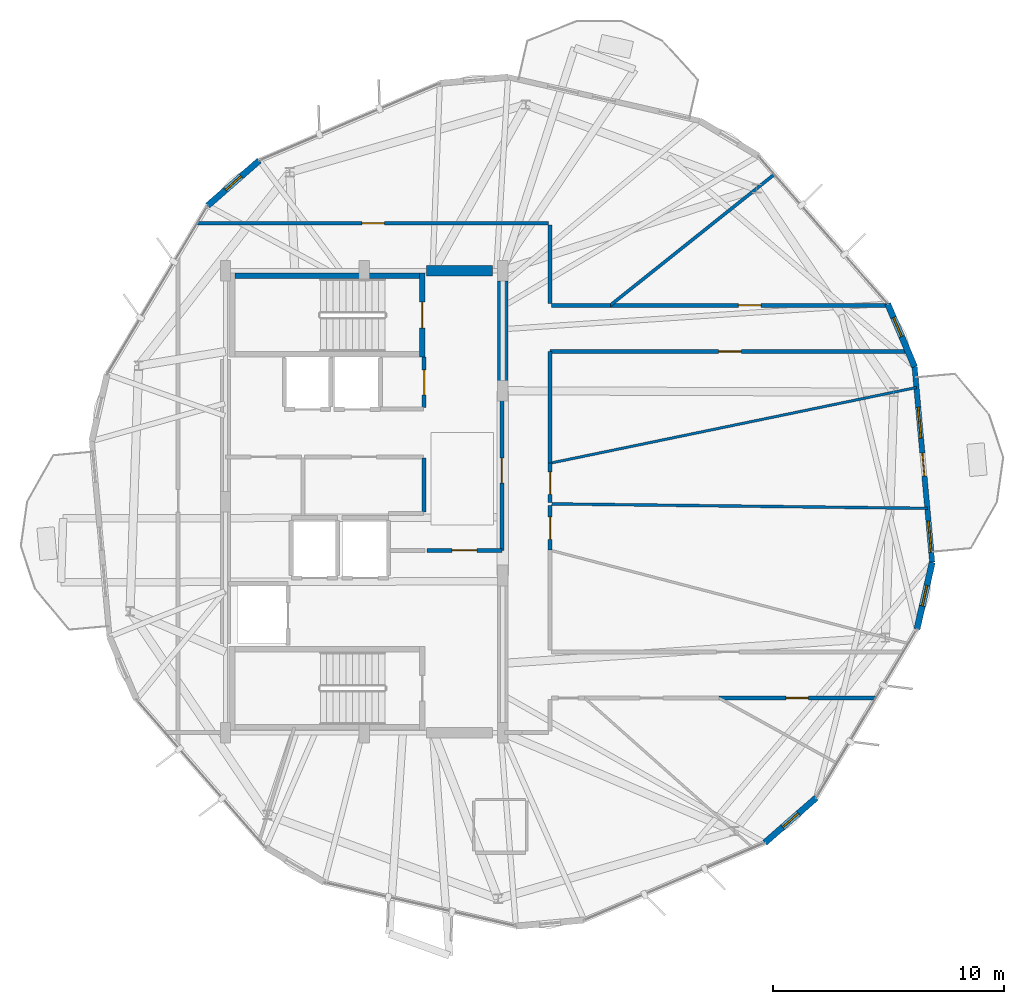
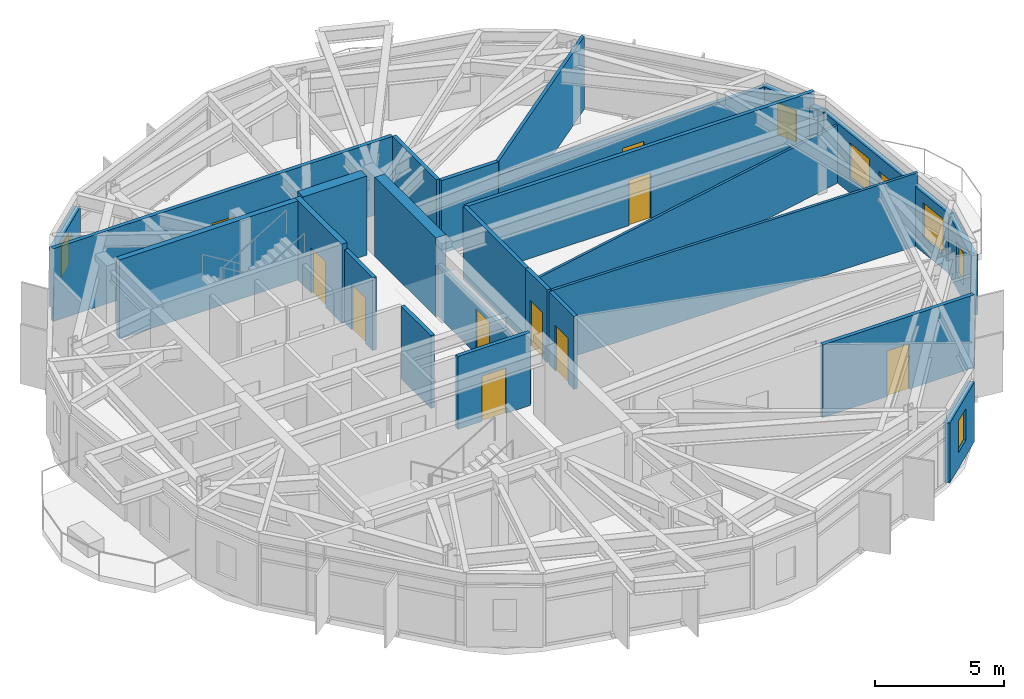
# One storey, part 19 of 23: 25 walls, 11 doors, 6 windows, 17 openings.
"""IFC4 building model written with IfcOpenShell, lengths in metres."""

from ifc_helpers import new_model, si_unit, direction, frame, frame_2d, origin, place, context, subcontext, project, spatial, rectangle, extrude, material, layer, layer_set, type_object, element, fill, save


model = new_model("IFC4")

# Units and contexts
model_context = context("Model", 3, precision=1e-05, world=origin(), true_north=direction((0.0, 1.0)))
body_context = subcontext(model_context, "Body", "Model", "MODEL_VIEW")
ifc_project = project(units=[si_unit("LENGTHUNIT", "METRE"), si_unit("AREAUNIT", "SQUARE_METRE"), si_unit("VOLUMEUNIT", "CUBIC_METRE"), si_unit("PLANEANGLEUNIT", "RADIAN"), si_unit("MASSUNIT", "GRAM", prefix="KILO")], contexts=[model_context])

# Site, building, storey
site_placement = place(None, origin())
site = spatial("IfcSite", under=ifc_project, at=site_placement, CompositionType="ELEMENT")
building_placement = place(site_placement, origin())
building = spatial("IfcBuilding", under=site, at=building_placement, Name="Soratama Intermodal Tower", CompositionType="ELEMENT")
storey_placement = place(building_placement, frame((0.0, 0.0, 250.0)))
storey = spatial("IfcBuildingStorey", under=building, at=storey_placement, Name="L63", CompositionType="ELEMENT", Elevation=250.0)

# Wall, openings, door, windows
ifc_material_1 = material(Name="Concrete f'c 42 MPa", Category="concrete")
ifc_layer_1 = layer(ifc_material_1, 0.22998046875)
ifc_layer_set_1 = layer_set([ifc_layer_1], Name="Concrete f'c 42 MPa")
wall_type_1 = type_object("IfcWallType", Name="EW-BAL-230", PredefinedType="SOLIDWALL", material=ifc_layer_set_1)
wall_1_placement = place(storey_placement, frame((63.189697265625, 22.37548828125, 0.0), z_axis=(0.0, 0.0, 1.0), x_axis=(-0.089932307003, 0.995947880241, 0.0)))
wall_1 = element("IfcWall", 1, at=wall_1_placement, inside=storey, type_object=wall_type_1, Name="L63 Terrace Wall F09", PredefinedType="SOLIDWALL", context=body_context, shape_type="SweptSolid", body=[
    extrude(rectangle(XDim=8.499755859375, YDim=0.22998046875, at=frame_2d((4.25, 0.0))), origin(), (0.0, 0.0, 1.0), 2.8291015625),
])
opening_1_placement = place(wall_1_placement, frame((3.75, 0.0, 0.0)))
opening_1 = element("IfcOpeningElement", 2, at=opening_1_placement, cuts=wall_1, Name="Opening ED-2", PredefinedType="OPENING", context=body_context, shape_type="SweptSolid", body=[
    extrude(rectangle(XDim=1.0, YDim=2.14990234375, at=frame_2d((0.5, 1.074951171875))), frame((0.0, 0.125, 0.0), z_axis=(0.0, -1.0, 0.0), x_axis=(1.0, 0.0, 0.0)), (0.0, 0.0, 1.0), 0.25),
])
opening_2_placement = place(wall_1_placement, frame((0.43994140625, 0.0, 0.719970703125)))
opening_2 = element("IfcOpeningElement", 3, at=opening_2_placement, cuts=wall_1, Name="Opening WN-4", PredefinedType="OPENING", context=body_context, shape_type="SweptSolid", body=[
    extrude(rectangle(XDim=1.35009765625, YDim=1.64990234375, at=frame_2d((0.675048828125, 0.824951171875))), frame((0.0, 0.125, 0.0), z_axis=(0.0, -1.0, 0.0), x_axis=(1.0, 0.0, 0.0)), (0.0, 0.0, 1.0), 0.25),
])
opening_3_placement = place(wall_1_placement, frame((5.389892578125, 0.0, 0.719970703125)))
opening_3 = element("IfcOpeningElement", 4, at=opening_3_placement, cuts=wall_1, Name="Opening WN-4", PredefinedType="OPENING", context=body_context, shape_type="SweptSolid", body=[
    extrude(rectangle(XDim=1.35009765625, YDim=1.64990234375, at=frame_2d((0.675048828125, 0.824951171875))), frame((0.0, 0.125, 0.0), z_axis=(0.0, -1.0, 0.0), x_axis=(1.0, 0.0, 0.0)), (0.0, 0.0, 1.0), 0.25),
])
ifc_material_2 = material(Name="Double-glazed aluminium door", Category="aluminium")
door_type_1 = type_object("IfcDoorType", Name="DR-BAL-1000", OperationType="NOTDEFINED", PredefinedType="DOOR", material=ifc_material_2)
door_1_placement = place(opening_1_placement, origin())
door_1 = element("IfcDoor", 5, at=door_1_placement, inside=storey, type_object=door_type_1, Name="L63 Balcony Door F09", OperationType="SINGLE_SWING_LEFT", OverallHeight=2.14990234375, OverallWidth=1.0, PredefinedType="DOOR", context=body_context, shape_type="SweptSolid", body=[
    extrude(rectangle(XDim=1.0, YDim=2.14990234375, at=frame_2d((0.5, 1.074951171875))), frame((0.0, 0.02490234375, 0.0), z_axis=(0.0, -1.0, 0.0), x_axis=(1.0, 0.0, 0.0)), (0.0, 0.0, 1.0), 0.050048828125),
])
fill(opening_1, door_1)
ifc_material_3 = material(Name="Double-glazed aluminium window", Category="aluminium")
window_type_1 = type_object("IfcWindowType", Name="WN-FAC-1350", PartitioningType="SINGLE_PANEL", PredefinedType="WINDOW", material=ifc_material_3)
window_1_placement = place(opening_2_placement, origin())
window_1 = element("IfcWindow", 6, at=window_1_placement, inside=storey, type_object=window_type_1, Name="L63 Window A F09", OverallHeight=1.64990234375, OverallWidth=1.35009765625, PartitioningType="SINGLE_PANEL", PredefinedType="WINDOW", context=body_context, shape_type="SweptSolid", body=[
    extrude(rectangle(XDim=1.35009765625, YDim=1.64990234375, at=frame_2d((0.675048828125, 0.824951171875))), frame((0.0, 0.030029296875, 0.0), z_axis=(0.0, -1.0, 0.0), x_axis=(1.0, 0.0, 0.0)), (0.0, 0.0, 1.0), 0.06005859375),
])
fill(opening_2, window_1)
window_2_placement = place(opening_3_placement, origin())
window_2 = element("IfcWindow", 7, at=window_2_placement, inside=storey, type_object=window_type_1, Name="L63 Window B F09", OverallHeight=1.64990234375, OverallWidth=1.35009765625, PartitioningType="SINGLE_PANEL", PredefinedType="WINDOW", context=body_context, shape_type="SweptSolid", body=[
    extrude(rectangle(XDim=1.35009765625, YDim=1.64990234375, at=frame_2d((0.675048828125, 0.824951171875))), frame((0.0, 0.030029296875, 0.0), z_axis=(0.0, -1.0, 0.0), x_axis=(1.0, 0.0, 0.0)), (0.0, 0.0, 1.0), 0.06005859375),
])
fill(opening_3, window_2)

# Wall, opening, window
ifc_material_4 = material(Name="Concrete f'c 42 MPa", Category="concrete")
ifc_layer_2 = layer(ifc_material_4, 0.27001953125)
ifc_layer_set_2 = layer_set([ifc_layer_2], Name="Concrete f'c 42 MPa")
wall_type_2 = type_object("IfcWallType", Name="EW-CRN-270", PredefinedType="SOLIDWALL", material=ifc_layer_set_2)
wall_2_placement = place(storey_placement, frame((34.060302734375, 39.767333984375, 0.0), z_axis=(0.0, 0.0, 1.0), x_axis=(-0.75288250817, -0.658154942921, 0.0)))
wall_2 = element("IfcWall", 8, at=wall_2_placement, inside=storey, type_object=wall_type_2, Name="L63 Corner Closure Wall 02", PredefinedType="SOLIDWALL", context=body_context, shape_type="SweptSolid", body=[
    extrude(rectangle(XDim=2.966552734375, YDim=0.27001953125, at=frame_2d((1.4833984375, 0.0))), origin(), (0.0, 0.0, 1.0), 2.8291015625),
])
opening_4_placement = place(wall_2_placement, frame((1.033203125, 0.0, 0.75)))
opening_4 = element("IfcOpeningElement", 9, at=opening_4_placement, cuts=wall_2, Name="Opening WN-6", PredefinedType="OPENING", context=body_context, shape_type="SweptSolid", body=[
    extrude(rectangle(XDim=0.89990234375, YDim=1.5, at=frame_2d((0.449951171875, 0.75))), frame((0.0, 0.14501953125, 0.0), z_axis=(0.0, -1.0, 0.0), x_axis=(1.0, 0.0, 0.0)), (0.0, 0.0, 1.0), 0.2900390625),
])
ifc_material_5 = material(Name="Double-glazed aluminium window", Category="aluminium")
window_type_2 = type_object("IfcWindowType", Name="WN-FAC-900", PartitioningType="SINGLE_PANEL", PredefinedType="WINDOW", material=ifc_material_5)
window_3_placement = place(opening_4_placement, origin())
window_3 = element("IfcWindow", 10, at=window_3_placement, inside=storey, type_object=window_type_2, Name="L63 Corner Window 02", OverallHeight=1.5, OverallWidth=0.89990234375, PartitioningType="SINGLE_PANEL", PredefinedType="WINDOW", context=body_context, shape_type="SweptSolid", body=[
    extrude(rectangle(XDim=0.89990234375, YDim=1.5, at=frame_2d((0.449951171875, 0.75))), frame((0.0, 0.030029296875, 0.0), z_axis=(0.0, -1.0, 0.0), x_axis=(1.0, 0.0, 0.0)), (0.0, 0.0, 1.0), 0.06005859375),
])
fill(opening_4, window_3)

wall_3_placement = place(storey_placement, frame((55.939697265625, 10.232666015625, 0.0), z_axis=(0.0, 0.0, 1.0), x_axis=(0.75288250817, 0.658154942921, 0.0)))
wall_3 = element("IfcWall", 11, at=wall_3_placement, inside=storey, type_object=wall_type_2, Name="L63 Corner Closure Wall 07", PredefinedType="SOLIDWALL", context=body_context, shape_type="SweptSolid", body=[
    extrude(rectangle(XDim=2.966552734375, YDim=0.27001953125, at=frame_2d((1.4833984375, 0.0))), origin(), (0.0, 0.0, 1.0), 2.8291015625),
])
opening_5_placement = place(wall_3_placement, frame((1.033203125, 0.0, 0.75)))
opening_5 = element("IfcOpeningElement", 12, at=opening_5_placement, cuts=wall_3, Name="Opening WN-6", PredefinedType="OPENING", context=body_context, shape_type="SweptSolid", body=[
    extrude(rectangle(XDim=0.89990234375, YDim=1.5, at=frame_2d((0.449951171875, 0.75))), frame((0.0, 0.14501953125, 0.0), z_axis=(0.0, -1.0, 0.0), x_axis=(1.0, 0.0, 0.0)), (0.0, 0.0, 1.0), 0.2900390625),
])
window_4_placement = place(opening_5_placement, origin())
window_4 = element("IfcWindow", 13, at=window_4_placement, inside=storey, type_object=window_type_2, Name="L63 Corner Window 07", OverallHeight=1.5, OverallWidth=0.89990234375, PartitioningType="SINGLE_PANEL", PredefinedType="WINDOW", context=body_context, shape_type="SweptSolid", body=[
    extrude(rectangle(XDim=0.89990234375, YDim=1.5, at=frame_2d((0.449951171875, 0.75))), frame((0.0, 0.030029296875, 0.0), z_axis=(0.0, -1.0, 0.0), x_axis=(1.0, 0.0, 0.0)), (0.0, 0.0, 1.0), 0.06005859375),
])
fill(opening_5, window_4)

wall_4_placement = place(storey_placement, frame((62.530517578125, 19.48291015625, 0.0), z_axis=(0.0, 0.0, 1.0), x_axis=(0.222190162384, 0.975003349604, 0.0)))
wall_4 = element("IfcWall", 14, at=wall_4_placement, inside=storey, type_object=wall_type_2, Name="L63 Corner Closure Wall 08", PredefinedType="SOLIDWALL", context=body_context, shape_type="SweptSolid", body=[
    extrude(rectangle(XDim=2.966796875, YDim=0.27001953125, at=frame_2d((1.4833984375, 0.0))), origin(), (0.0, 0.0, 1.0), 2.8291015625),
])
opening_6_placement = place(wall_4_placement, frame((1.033203125, 0.0, 0.75)))
opening_6 = element("IfcOpeningElement", 15, at=opening_6_placement, cuts=wall_4, Name="Opening WN-6", PredefinedType="OPENING", context=body_context, shape_type="SweptSolid", body=[
    extrude(rectangle(XDim=0.89990234375, YDim=1.5, at=frame_2d((0.449951171875, 0.75))), frame((0.0, 0.14501953125, 0.0), z_axis=(0.0, -1.0, 0.0), x_axis=(1.0, 0.0, 0.0)), (0.0, 0.0, 1.0), 0.2900390625),
])
window_5_placement = place(opening_6_placement, origin())
window_5 = element("IfcWindow", 16, at=window_5_placement, inside=storey, type_object=window_type_2, Name="L63 Corner Window 08", OverallHeight=1.5, OverallWidth=0.89990234375, PartitioningType="SINGLE_PANEL", PredefinedType="WINDOW", context=body_context, shape_type="SweptSolid", body=[
    extrude(rectangle(XDim=0.89990234375, YDim=1.5, at=frame_2d((0.449951171875, 0.75))), frame((0.0, 0.030029296875, 0.0), z_axis=(0.0, -1.0, 0.0), x_axis=(1.0, 0.0, 0.0)), (0.0, 0.0, 1.0), 0.06005859375),
])
fill(opening_6, window_5)

wall_5_placement = place(storey_placement, frame((62.42529296875, 30.8408203125, 0.0), z_axis=(0.0, 0.0, 1.0), x_axis=(-0.393392799369, 0.919370494091, 0.0)))
wall_5 = element("IfcWall", 17, at=wall_5_placement, inside=storey, type_object=wall_type_2, Name="L63 Corner Closure Wall 09", PredefinedType="SOLIDWALL", context=body_context, shape_type="SweptSolid", body=[
    extrude(rectangle(XDim=2.966552734375, YDim=0.27001953125, at=frame_2d((1.4833984375, 0.0))), origin(), (0.0, 0.0, 1.0), 2.8291015625),
])
opening_7_placement = place(wall_5_placement, frame((1.422119140625, 0.0, 0.75)))
opening_7 = element("IfcOpeningElement", 18, at=opening_7_placement, cuts=wall_5, Name="Opening WN-6", PredefinedType="OPENING", context=body_context, shape_type="SweptSolid", body=[
    extrude(rectangle(XDim=0.89990234375, YDim=1.5, at=frame_2d((0.449951171875, 0.75))), frame((0.0, 0.14501953125, 0.0), z_axis=(0.0, -1.0, 0.0), x_axis=(1.0, 0.0, 0.0)), (0.0, 0.0, 1.0), 0.2900390625),
])
window_6_placement = place(opening_7_placement, origin())
window_6 = element("IfcWindow", 19, at=window_6_placement, inside=storey, type_object=window_type_2, Name="L63 Corner Window 09", OverallHeight=1.5, OverallWidth=0.89990234375, PartitioningType="SINGLE_PANEL", PredefinedType="WINDOW", context=body_context, shape_type="SweptSolid", body=[
    extrude(rectangle(XDim=0.89990234375, YDim=1.5, at=frame_2d((0.449951171875, 0.75))), frame((0.0, 0.030029296875, 0.0), z_axis=(0.0, -1.0, 0.0), x_axis=(1.0, 0.0, 0.0)), (0.0, 0.0, 1.0), 0.06005859375),
])
fill(opening_7, window_6)

# Wall, opening, door
ifc_material_6 = material(Name="Fire-rated gypsum stud partition", Category="concrete")
ifc_layer_3 = layer(ifc_material_6, 0.169921875)
ifc_layer_set_3 = layer_set([ifc_layer_3], Name="Fire-rated gypsum stud partition")
wall_type_3 = type_object("IfcWallType", Name="IW-PART-R170", PredefinedType="PARTITIONING", material=ifc_layer_set_3)
wall_6_placement = place(storey_placement, frame((62.259033203125, 31.5, 0.0), z_axis=(0.0, 0.0, 1.0), x_axis=(-1.0, 0.0, 0.0)))
wall_6 = element("IfcWall", 20, at=wall_6_placement, inside=storey, type_object=wall_type_3, Name="L63 Partition W-L63-TP005", PredefinedType="PARTITIONING", context=body_context, shape_type="SweptSolid", body=[
    extrude(rectangle(XDim=15.609130859375, YDim=0.169921875, at=frame_2d((7.8046875, 0.0))), origin(), (0.0, 0.0, 1.0), 3.449951171875),
])
opening_8_placement = place(wall_6_placement, frame((7.330078125, 0.0, 0.0)))
opening_8 = element("IfcOpeningElement", 21, at=opening_8_placement, cuts=wall_6, Name="Opening ID-5", PredefinedType="OPENING", context=body_context, shape_type="SweptSolid", body=[
    extrude(rectangle(XDim=0.97998046875, YDim=2.14990234375, at=frame_2d((0.489990234375, 1.074951171875))), frame((0.0, 0.094970703125, 0.0), z_axis=(0.0, -1.0, 0.0), x_axis=(1.0, 0.0, 0.0)), (0.0, 0.0, 1.0), 0.18994140625),
])
ifc_material_7 = material(Name="Solid hardwood acoustic door", Category="wood")
door_type_2 = type_object("IfcDoorType", Name="DR-OFF-980", OperationType="NOTDEFINED", PredefinedType="DOOR", material=ifc_material_7)
door_2_placement = place(opening_8_placement, origin())
door_2 = element("IfcDoor", 22, at=door_2_placement, inside=storey, type_object=door_type_2, Name="L63 Door D-L63-TP002", OperationType="SINGLE_SWING_LEFT", OverallHeight=2.14990234375, OverallWidth=0.97998046875, PredefinedType="DOOR", context=body_context, shape_type="SweptSolid", body=[
    extrude(rectangle(XDim=0.97998046875, YDim=2.14990234375, at=frame_2d((0.489990234375, 1.074951171875))), frame((0.0, 0.02490234375, 0.0), z_axis=(0.0, -1.0, 0.0), x_axis=(1.0, 0.0, 0.0)), (0.0, 0.0, 1.0), 0.050048828125),
])
fill(opening_8, door_2)

wall_7_placement = place(storey_placement, frame((31.3701171875, 37.050048828125, 0.0), z_axis=(0.0, 0.0, 1.0), x_axis=(1.0, 0.0, 0.0)))
wall_7 = element("IfcWall", 23, at=wall_7_placement, inside=storey, type_object=wall_type_3, Name="L63 Partition W-L63-TP007", PredefinedType="PARTITIONING", context=body_context, shape_type="SweptSolid", body=[
    extrude(rectangle(XDim=15.2099609375, YDim=0.169921875, at=frame_2d((7.60498046875, 0.0))), origin(), (0.0, 0.0, 1.0), 3.449951171875),
])
opening_9_placement = place(wall_7_placement, frame((7.1298828125, 0.0, 0.0)))
opening_9 = element("IfcOpeningElement", 24, at=opening_9_placement, cuts=wall_7, Name="Opening ID-5", PredefinedType="OPENING", context=body_context, shape_type="SweptSolid", body=[
    extrude(rectangle(XDim=0.97998046875, YDim=2.14990234375, at=frame_2d((0.489990234375, 1.074951171875))), frame((0.0, 0.094970703125, 0.0), z_axis=(0.0, -1.0, 0.0), x_axis=(1.0, 0.0, 0.0)), (0.0, 0.0, 1.0), 0.18994140625),
])
door_3_placement = place(opening_9_placement, origin())
door_3 = element("IfcDoor", 25, at=door_3_placement, inside=storey, type_object=door_type_2, Name="L63 Door D-L63-TP004", OperationType="SINGLE_SWING_LEFT", OverallHeight=2.14990234375, OverallWidth=0.97998046875, PredefinedType="DOOR", context=body_context, shape_type="SweptSolid", body=[
    extrude(rectangle(XDim=0.97998046875, YDim=2.14990234375, at=frame_2d((0.489990234375, 1.074951171875))), frame((0.0, 0.02490234375, 0.0), z_axis=(0.0, -1.0, 0.0), x_axis=(1.0, 0.0, 0.0)), (0.0, 0.0, 1.0), 0.050048828125),
])
fill(opening_9, door_3)

wall_8_placement = place(storey_placement, frame((49.25390625, 33.5, 0.0), z_axis=(0.0, 0.0, 1.0), x_axis=(1.0, 0.0, 0.0)))
wall_8 = element("IfcWall", 26, at=wall_8_placement, inside=storey, type_object=wall_type_3, Name="L63 Partition W-L63-TP008", PredefinedType="PARTITIONING", context=body_context, shape_type="SweptSolid", body=[
    extrude(rectangle(XDim=12.047119140625, YDim=0.169921875, at=frame_2d((6.0234375, 0.0))), origin(), (0.0, 0.0, 1.0), 2.827880859375),
])
opening_10_placement = place(wall_8_placement, frame((5.549072265625, 0.0, 0.0)))
opening_10 = element("IfcOpeningElement", 27, at=opening_10_placement, cuts=wall_8, Name="Opening ID-5", PredefinedType="OPENING", context=body_context, shape_type="SweptSolid", body=[
    extrude(rectangle(XDim=0.97998046875, YDim=2.14990234375, at=frame_2d((0.489990234375, 1.074951171875))), frame((0.0, 0.094970703125, 0.0), z_axis=(0.0, -1.0, 0.0), x_axis=(1.0, 0.0, 0.0)), (0.0, 0.0, 1.0), 0.18994140625),
])
door_4_placement = place(opening_10_placement, origin())
door_4 = element("IfcDoor", 28, at=door_4_placement, inside=storey, type_object=door_type_2, Name="L63 Door D-L63-TP005", OperationType="SINGLE_SWING_RIGHT", OverallHeight=2.14990234375, OverallWidth=0.97998046875, PredefinedType="DOOR", context=body_context, shape_type="SweptSolid", body=[
    extrude(rectangle(XDim=0.97998046875, YDim=2.14990234375, at=frame_2d((0.489990234375, 1.074951171875))), frame((0.0, 0.02490234375, 0.0), z_axis=(0.0, -1.0, 0.0), x_axis=(1.0, 0.0, 0.0)), (0.0, 0.0, 1.0), 0.050048828125),
])
fill(opening_10, door_4)

wall_9_placement = place(storey_placement, frame((44.56005859375, 29.800048828125, 0.0), z_axis=(0.0, 0.0, 1.0), x_axis=(0.0, -1.0, 0.0)))
wall_9 = element("IfcWall", 29, at=wall_9_placement, inside=storey, type_object=wall_type_3, Name="L63 Partition W-L63-TP011", PredefinedType="PARTITIONING", context=body_context, shape_type="SweptSolid", body=[
    extrude(rectangle(XDim=6.91015625, YDim=0.169921875, at=frame_2d((3.455078125, 0.0))), origin(), (0.0, 0.0, 1.0), 2.489990234375),
])
opening_11_placement = place(wall_9_placement, frame((2.9150390625, 0.0, 0.0)))
opening_11 = element("IfcOpeningElement", 30, at=opening_11_placement, cuts=wall_9, Name="Opening ID-1", PredefinedType="OPENING", context=body_context, shape_type="SweptSolid", body=[
    extrude(rectangle(XDim=1.080078125, YDim=2.14990234375, at=frame_2d((0.5400390625, 1.074951171875))), frame((0.0, 0.094970703125, 0.0), z_axis=(0.0, -1.0, 0.0), x_axis=(1.0, 0.0, 0.0)), (0.0, 0.0, 1.0), 0.18994140625),
])
ifc_material_8 = material(Name="Solid hardwood acoustic door", Category="wood")
door_type_3 = type_object("IfcDoorType", Name="DR-LOB-FD60", OperationType="NOTDEFINED", PredefinedType="DOOR", material=ifc_material_8)
door_5_placement = place(opening_11_placement, origin())
door_5 = element("IfcDoor", 31, at=door_5_placement, inside=storey, type_object=door_type_3, Name="L63 Door D-L63-TP006", OperationType="SINGLE_SWING_LEFT", OverallHeight=2.14990234375, OverallWidth=1.080078125, PredefinedType="DOOR", context=body_context, shape_type="SweptSolid", body=[
    extrude(rectangle(XDim=1.080078125, YDim=2.14990234375, at=frame_2d((0.5400390625, 1.074951171875))), frame((0.0, 0.02490234375, 0.0), z_axis=(0.0, -1.0, 0.0), x_axis=(1.0, 0.0, 0.0)), (0.0, 0.0, 1.0), 0.050048828125),
])
fill(opening_11, door_5)

wall_10_placement = place(storey_placement, frame((60.7490234375, 16.5, 0.0), z_axis=(0.0, 0.0, 1.0), x_axis=(-1.0, 0.0, 0.0)))
wall_10 = element("IfcWall", 32, at=wall_10_placement, inside=storey, type_object=wall_type_3, Name="L63 Partition W-L63-TP012", PredefinedType="PARTITIONING", context=body_context, shape_type="SweptSolid", body=[
    extrude(rectangle(XDim=6.787109375, YDim=0.169921875, at=frame_2d((3.3935546875, 0.0))), origin(), (0.0, 0.0, 1.0), 3.449951171875),
])
opening_12_placement = place(wall_10_placement, frame((2.91796875, 0.0, 0.0)))
opening_12 = element("IfcOpeningElement", 33, at=opening_12_placement, cuts=wall_10, Name="Opening ID-5", PredefinedType="OPENING", context=body_context, shape_type="SweptSolid", body=[
    extrude(rectangle(XDim=0.97998046875, YDim=2.14990234375, at=frame_2d((0.489990234375, 1.074951171875))), frame((0.0, 0.094970703125, 0.0), z_axis=(0.0, -1.0, 0.0), x_axis=(1.0, 0.0, 0.0)), (0.0, 0.0, 1.0), 0.18994140625),
])
door_6_placement = place(opening_12_placement, origin())
door_6 = element("IfcDoor", 34, at=door_6_placement, inside=storey, type_object=door_type_2, Name="L63 Door D-L63-TP007", OperationType="SINGLE_SWING_RIGHT", OverallHeight=2.14990234375, OverallWidth=0.97998046875, PredefinedType="DOOR", context=body_context, shape_type="SweptSolid", body=[
    extrude(rectangle(XDim=0.97998046875, YDim=2.14990234375, at=frame_2d((0.489990234375, 1.074951171875))), frame((0.0, 0.02490234375, 0.0), z_axis=(0.0, -1.0, 0.0), x_axis=(1.0, 0.0, 0.0)), (0.0, 0.0, 1.0), 0.050048828125),
])
fill(opening_12, door_6)

# Walls
wall_11_placement = place(storey_placement, frame((46.64990234375, 31.5, 0.0), z_axis=(0.0, 0.0, 1.0), x_axis=(0.0, -1.0, 0.0)))
element("IfcWall", 35, at=wall_11_placement, inside=storey, type_object=wall_type_3, Name="L63 Partition W-L63-TP017", PredefinedType="PARTITIONING", context=body_context, shape_type="SweptSolid", body=[
    extrude(rectangle(XDim=4.8349609375, YDim=0.169921875, at=frame_2d((2.41748046875, 0.0))), origin(), (0.0, 0.0, 1.0), 3.449951171875),
])
wall_12_placement = place(storey_placement, frame((46.64990234375, 36.97998046875, 0.0), z_axis=(0.0, 0.0, 1.0), x_axis=(0.0, -1.0, 0.0)))
element("IfcWall", 36, at=wall_12_placement, inside=storey, type_object=wall_type_3, Name="L63 Partition W-L63-TP019", PredefinedType="PARTITIONING", context=body_context, shape_type="SweptSolid", body=[
    extrude(rectangle(XDim=3.409912109375, YDim=0.169921875, at=frame_2d((1.705078125, 0.0))), origin(), (0.0, 0.0, 1.0), 3.449951171875),
])

# Wall, opening, door
wall_13_placement = place(storey_placement, frame((41.320068359375, 22.889892578125, 0.0), z_axis=(0.0, 0.0, 1.0), x_axis=(1.0, 0.0, 0.0)))
wall_13 = element("IfcWall", 37, at=wall_13_placement, inside=storey, type_object=wall_type_3, Name="L63 Partition W-L63-TP021", PredefinedType="PARTITIONING", context=body_context, shape_type="SweptSolid", body=[
    extrude(rectangle(XDim=3.239990234375, YDim=0.169921875, at=frame_2d((1.6201171875, 0.0))), origin(), (0.0, 0.0, 1.0), 3.449951171875),
])
opening_13_placement = place(wall_13_placement, frame((1.080078125, 0.0, 0.0)))
opening_13 = element("IfcOpeningElement", 38, at=opening_13_placement, cuts=wall_13, Name="Opening ID-0", PredefinedType="OPENING", context=body_context, shape_type="SweptSolid", body=[
    extrude(rectangle(XDim=1.080078125, YDim=2.14990234375, at=frame_2d((0.5400390625, 1.074951171875))), frame((0.0, 0.094970703125, 0.0), z_axis=(0.0, -1.0, 0.0), x_axis=(1.0, 0.0, 0.0)), (0.0, 0.0, 1.0), 0.18994140625),
])
ifc_material_9 = material(Name="Solid hardwood acoustic door", Category="wood")
door_type_4 = type_object("IfcDoorType", Name="DR-LOB-FD90", OperationType="NOTDEFINED", PredefinedType="DOOR", material=ifc_material_9)
door_7_placement = place(opening_13_placement, origin())
door_7 = element("IfcDoor", 39, at=door_7_placement, inside=storey, type_object=door_type_4, Name="L63 Door D-L63-TP011", OperationType="SINGLE_SWING_RIGHT", OverallHeight=2.14990234375, OverallWidth=1.080078125, PredefinedType="DOOR", context=body_context, shape_type="SweptSolid", body=[
    extrude(rectangle(XDim=1.080078125, YDim=2.14990234375, at=frame_2d((0.5400390625, 1.074951171875))), frame((0.0, 0.02490234375, 0.0), z_axis=(0.0, -1.0, 0.0), x_axis=(1.0, 0.0, 0.0)), (0.0, 0.0, 1.0), 0.050048828125),
])
fill(opening_13, door_7)

# Walls
wall_14_placement = place(storey_placement, frame((46.719970703125, 33.5, 0.0), z_axis=(0.0, 0.0, 1.0), x_axis=(1.0, 0.0, 0.0)))
element("IfcWall", 40, at=wall_14_placement, inside=storey, type_object=wall_type_3, Name="L63 Partition W-L63-TP024", PredefinedType="PARTITIONING", context=body_context, shape_type="SweptSolid", body=[
    extrude(rectangle(XDim=2.533935546875, YDim=0.169921875, at=frame_2d((1.26708984375, 0.0))), origin(), (0.0, 0.0, 1.0), 3.449951171875),
])
wall_15_placement = place(storey_placement, frame((41.199951171875, 24.550048828125, 0.0), z_axis=(0.0, 0.0, 1.0), x_axis=(0.0, 1.0, 0.0)))
element("IfcWall", 41, at=wall_15_placement, inside=storey, type_object=wall_type_3, Name="L63 Partition W-L63-TP025", PredefinedType="PARTITIONING", context=body_context, shape_type="SweptSolid", body=[
    extrude(rectangle(XDim=2.329833984375, YDim=0.169921875, at=frame_2d((1.1650390625, 0.0))), origin(), (0.0, 0.0, 1.0), 3.449951171875),
])

# Wall, opening, door
wall_16_placement = place(storey_placement, frame((41.199951171875, 29.070068359375, 0.0), z_axis=(0.0, 0.0, 1.0), x_axis=(0.0, 1.0, 0.0)))
wall_16 = element("IfcWall", 42, at=wall_16_placement, inside=storey, type_object=wall_type_3, Name="L63 Partition W-L63-TP026", PredefinedType="PARTITIONING", context=body_context, shape_type="SweptSolid", body=[
    extrude(rectangle(XDim=2.18994140625, YDim=0.169921875, at=frame_2d((1.094970703125, 0.0))), origin(), (0.0, 0.0, 1.0), 3.449951171875),
])
opening_14_placement = place(wall_16_placement, frame((0.554931640625, 0.0, 0.0)))
opening_14 = element("IfcOpeningElement", 43, at=opening_14_placement, cuts=wall_16, Name="Opening ID-1", PredefinedType="OPENING", context=body_context, shape_type="SweptSolid", body=[
    extrude(rectangle(XDim=1.080078125, YDim=2.14990234375, at=frame_2d((0.5400390625, 1.074951171875))), frame((0.0, 0.094970703125, 0.0), z_axis=(0.0, -1.0, 0.0), x_axis=(1.0, 0.0, 0.0)), (0.0, 0.0, 1.0), 0.18994140625),
])
door_8_placement = place(opening_14_placement, origin())
door_8 = element("IfcDoor", 44, at=door_8_placement, inside=storey, type_object=door_type_3, Name="L63 Door D-L63-TP012", OperationType="SINGLE_SWING_LEFT", OverallHeight=2.14990234375, OverallWidth=1.080078125, PredefinedType="DOOR", context=body_context, shape_type="SweptSolid", body=[
    extrude(rectangle(XDim=1.080078125, YDim=2.14990234375, at=frame_2d((0.5400390625, 1.074951171875))), frame((0.0, 0.02490234375, 0.0), z_axis=(0.0, -1.0, 0.0), x_axis=(1.0, 0.0, 0.0)), (0.0, 0.0, 1.0), 0.050048828125),
])
fill(opening_14, door_8)

wall_17_placement = place(storey_placement, frame((46.64990234375, 24.833984375, 0.0), z_axis=(0.0, 0.0, 1.0), x_axis=(0.0, -1.0, 0.0)))
wall_17 = element("IfcWall", 45, at=wall_17_placement, inside=storey, type_object=wall_type_3, Name="L63 Partition W-L63-TP031", PredefinedType="PARTITIONING", context=body_context, shape_type="SweptSolid", body=[
    extrude(rectangle(XDim=1.93310546875, YDim=0.169921875, at=frame_2d((0.966552734375, 0.0))), origin(), (0.0, 0.0, 1.0), 3.449951171875),
])
opening_15_placement = place(wall_17_placement, frame((0.490966796875, 0.0, 0.0)))
opening_15 = element("IfcOpeningElement", 46, at=opening_15_placement, cuts=wall_17, Name="Opening ID-5", PredefinedType="OPENING", context=body_context, shape_type="SweptSolid", body=[
    extrude(rectangle(XDim=0.97998046875, YDim=2.14990234375, at=frame_2d((0.489990234375, 1.074951171875))), frame((0.0, 0.094970703125, 0.0), z_axis=(0.0, -1.0, 0.0), x_axis=(1.0, 0.0, 0.0)), (0.0, 0.0, 1.0), 0.18994140625),
])
door_9_placement = place(opening_15_placement, origin())
door_9 = element("IfcDoor", 47, at=door_9_placement, inside=storey, type_object=door_type_2, Name="L63 Door D-L63-TP014", OperationType="SINGLE_SWING_LEFT", OverallHeight=2.14990234375, OverallWidth=0.97998046875, PredefinedType="DOOR", context=body_context, shape_type="SweptSolid", body=[
    extrude(rectangle(XDim=0.97998046875, YDim=2.14990234375, at=frame_2d((0.489990234375, 1.074951171875))), frame((0.0, 0.02490234375, 0.0), z_axis=(0.0, -1.0, 0.0), x_axis=(1.0, 0.0, 0.0)), (0.0, 0.0, 1.0), 0.050048828125),
])
fill(opening_15, door_9)

wall_18_placement = place(storey_placement, frame((46.64990234375, 26.6650390625, 0.0), z_axis=(0.0, 0.0, 1.0), x_axis=(0.0, -1.0, 0.0)))
wall_18 = element("IfcWall", 48, at=wall_18_placement, inside=storey, type_object=wall_type_3, Name="L63 Partition W-L63-TP033", PredefinedType="PARTITIONING", context=body_context, shape_type="SweptSolid", body=[
    extrude(rectangle(XDim=1.69091796875, YDim=0.169921875, at=frame_2d((0.845458984375, 0.0))), origin(), (0.0, 0.0, 1.0), 3.449951171875),
])
opening_16_placement = place(wall_18_placement, frame((0.3701171875, 0.0, 0.0)))
opening_16 = element("IfcOpeningElement", 49, at=opening_16_placement, cuts=wall_18, Name="Opening ID-5", PredefinedType="OPENING", context=body_context, shape_type="SweptSolid", body=[
    extrude(rectangle(XDim=0.97998046875, YDim=2.14990234375, at=frame_2d((0.489990234375, 1.074951171875))), frame((0.0, 0.094970703125, 0.0), z_axis=(0.0, -1.0, 0.0), x_axis=(1.0, 0.0, 0.0)), (0.0, 0.0, 1.0), 0.18994140625),
])
door_10_placement = place(opening_16_placement, origin())
door_10 = element("IfcDoor", 50, at=door_10_placement, inside=storey, type_object=door_type_2, Name="L63 Door D-L63-TP015", OperationType="SINGLE_SWING_RIGHT", OverallHeight=2.14990234375, OverallWidth=0.97998046875, PredefinedType="DOOR", context=body_context, shape_type="SweptSolid", body=[
    extrude(rectangle(XDim=0.97998046875, YDim=2.14990234375, at=frame_2d((0.489990234375, 1.074951171875))), frame((0.0, 0.02490234375, 0.0), z_axis=(0.0, -1.0, 0.0), x_axis=(1.0, 0.0, 0.0)), (0.0, 0.0, 1.0), 0.050048828125),
])
fill(opening_16, door_10)

# Walls
ifc_material_10 = material(Name="Fire-rated gypsum stud partition", Category="concrete")
ifc_layer_4 = layer(ifc_material_10, 0.110107421875)
ifc_layer_set_4 = layer_set([ifc_layer_4], Name="Fire-rated gypsum stud partition")
wall_type_4 = type_object("IfcWallType", Name="IW-PART-S110", PredefinedType="PARTITIONING", material=ifc_layer_set_4)
wall_19_placement = place(storey_placement, frame((46.64990234375, 26.6650390625, 0.0), z_axis=(0.0, 0.0, 1.0), x_axis=(0.979306197495, 0.202384217636, 0.0)))
element("IfcWall", 51, at=wall_19_placement, inside=storey, type_object=wall_type_4, Name="L63 Partition W-L63-TP003", PredefinedType="PARTITIONING", context=body_context, shape_type="SweptSolid", body=[
    extrude(rectangle(XDim=16.191162109375, YDim=0.110107421875, at=frame_2d((8.095703125, 0.0))), origin(), (0.0, 0.0, 1.0), 2.7451171875),
])
ifc_material_11 = material(Name="Fire-rated gypsum stud partition", Category="concrete")
ifc_layer_5 = layer(ifc_material_11, 0.1201171875)
ifc_layer_set_5 = layer_set([ifc_layer_5], Name="Fire-rated gypsum stud partition")
wall_type_5 = type_object("IfcWallType", Name="IW-PART-S120", PredefinedType="PARTITIONING", material=ifc_layer_set_5)
wall_20_placement = place(storey_placement, frame((62.97900390625, 24.7109375, 0.0), z_axis=(0.0, 0.0, 1.0), x_axis=(-0.999929462533, 0.011877287476, 0.0)))
element("IfcWall", 52, at=wall_20_placement, inside=storey, type_object=wall_type_5, Name="L63 Partition W-L63-TP002", PredefinedType="PARTITIONING", context=body_context, shape_type="SweptSolid", body=[
    extrude(rectangle(XDim=16.25927734375, YDim=0.1201171875, at=frame_2d((8.129638671875, 0.0))), origin(), (0.0, 0.0, 1.0), 3.449951171875),
])
ifc_material_12 = material(Name="Fire-rated gypsum stud partition", Category="concrete")
ifc_layer_6 = layer(ifc_material_12, 0.139892578125)
ifc_layer_set_6 = layer_set([ifc_layer_6], Name="Fire-rated gypsum stud partition")
wall_type_6 = type_object("IfcWallType", Name="IW-PART-S140", PredefinedType="PARTITIONING", material=ifc_layer_set_6)
wall_21_placement = place(storey_placement, frame((49.25390625, 33.5, 0.0), z_axis=(0.0, 0.0, 1.0), x_axis=(0.781716904538, 0.623633450963, 0.0)))
element("IfcWall", 53, at=wall_21_placement, inside=storey, type_object=wall_type_6, Name="L63 Partition W-L63-TP010", PredefinedType="PARTITIONING", context=body_context, shape_type="SweptSolid", body=[
    extrude(rectangle(XDim=9.091796875, YDim=0.139892578125, at=frame_2d((4.5458984375, 0.0))), origin(), (0.0, 0.0, 1.0), 3.449951171875),
])
ifc_material_13 = material(Name="Concrete f'c 56 MPa", Category="concrete")
ifc_layer_7 = layer(ifc_material_13, 0.449951171875)
ifc_layer_set_7 = layer_set([ifc_layer_7], Name="Concrete f'c 56 MPa")
wall_type_7 = type_object("IfcWallType", Name="SW-CORE-450", PredefinedType="SHEAR", material=ifc_layer_set_7)
wall_22_placement = place(storey_placement, frame((41.300048828125, 35.0, 0.0), z_axis=(0.0, 0.0, 1.0), x_axis=(1.0, 0.0, 0.0)))
element("IfcWall", 54, at=wall_22_placement, inside=storey, type_object=wall_type_7, Name="L63 Core Shear Wall CW-NE", PredefinedType="SHEAR", context=body_context, shape_type="SweptSolid", body=[
    extrude(rectangle(XDim=2.849853515625, YDim=0.449951171875, at=frame_2d((1.4248046875, 0.0))), origin(), (0.0, 0.0, 1.0), 3.75),
])
wall_23_placement = place(storey_placement, frame((44.60009765625, 29.800048828125, 0.0), z_axis=(0.0, 0.0, 1.0), x_axis=(0.0, 1.0, 0.0)))
element("IfcWall", 55, at=wall_23_placement, inside=storey, type_object=wall_type_7, Name="L63 Core Shear Wall CW-EN", PredefinedType="SHEAR", context=body_context, shape_type="SweptSolid", body=[
    extrude(rectangle(XDim=4.75, YDim=0.449951171875, at=frame_2d((2.375, 0.0))), origin(), (0.0, 0.0, 1.0), 3.75),
])

# Wall, opening, door
ifc_material_14 = material(Name="Concrete f'c 56 MPa", Category="concrete")
ifc_layer_8 = layer(ifc_material_14, 0.239990234375)
ifc_layer_set_8 = layer_set([ifc_layer_8], Name="Concrete f'c 56 MPa")
wall_type_8 = type_object("IfcWallType", Name="SW-STAIR-240", PredefinedType="SHEAR", material=ifc_layer_set_8)
wall_24_placement = place(storey_placement, frame((41.1201171875, 31.260009765625, 0.0), z_axis=(0.0, 0.0, 1.0), x_axis=(0.0, 1.0, 0.0)))
wall_24 = element("IfcWall", 56, at=wall_24_placement, inside=storey, type_object=wall_type_8, Name="L63 ST-2 Shaft Shear Wall E", PredefinedType="SHEAR", context=body_context, shape_type="SweptSolid", body=[
    extrude(rectangle(XDim=3.6298828125, YDim=0.239990234375, at=frame_2d((1.81494140625, 0.0))), origin(), (0.0, 0.0, 1.0), 3.75),
])
opening_17_placement = place(wall_24_placement, frame((1.2548828125, 0.0, 0.0)))
opening_17 = element("IfcOpeningElement", 57, at=opening_17_placement, cuts=wall_24, Name="Opening SD-1", PredefinedType="OPENING", context=body_context, shape_type="SweptSolid", body=[
    extrude(rectangle(XDim=1.1201171875, YDim=2.14990234375, at=frame_2d((0.56005859375, 1.074951171875))), frame((0.0, 0.1298828125, 0.0), z_axis=(0.0, -1.0, 0.0), x_axis=(1.0, 0.0, 0.0)), (0.0, 0.0, 1.0), 0.260009765625),
])
ifc_material_15 = material(Name="Steel fire door", Category="steel")
door_type_5 = type_object("IfcDoorType", Name="DR-STAIR-FD90", OperationType="NOTDEFINED", PredefinedType="DOOR", material=ifc_material_15)
door_11_placement = place(opening_17_placement, origin())
door_11 = element("IfcDoor", 58, at=door_11_placement, inside=storey, type_object=door_type_5, Name="L63 ST-2 Exit Stair Door", OperationType="SINGLE_SWING_RIGHT", OverallHeight=2.14990234375, OverallWidth=1.1201171875, PredefinedType="DOOR", context=body_context, shape_type="SweptSolid", body=[
    extrude(rectangle(XDim=1.1201171875, YDim=2.14990234375, at=frame_2d((0.56005859375, 1.074951171875))), frame((0.0, 0.02490234375, 0.0), z_axis=(0.0, -1.0, 0.0), x_axis=(1.0, 0.0, 0.0)), (0.0, 0.0, 1.0), 0.050048828125),
])
fill(opening_17, door_11)

# Wall
wall_25_placement = place(storey_placement, frame((33.0, 34.77001953125, 0.0), z_axis=(0.0, 0.0, 1.0), x_axis=(1.0, 0.0, 0.0)))
element("IfcWall", 59, at=wall_25_placement, inside=storey, type_object=wall_type_8, Name="L63 ST-2 Shaft Shear Wall N", PredefinedType="SHEAR", context=body_context, shape_type="SweptSolid", body=[
    extrude(rectangle(XDim=8.0, YDim=0.239990234375, at=frame_2d((4.0, 0.0))), origin(), (0.0, 0.0, 1.0), 3.75),
])

save(model, "model.ifc")
